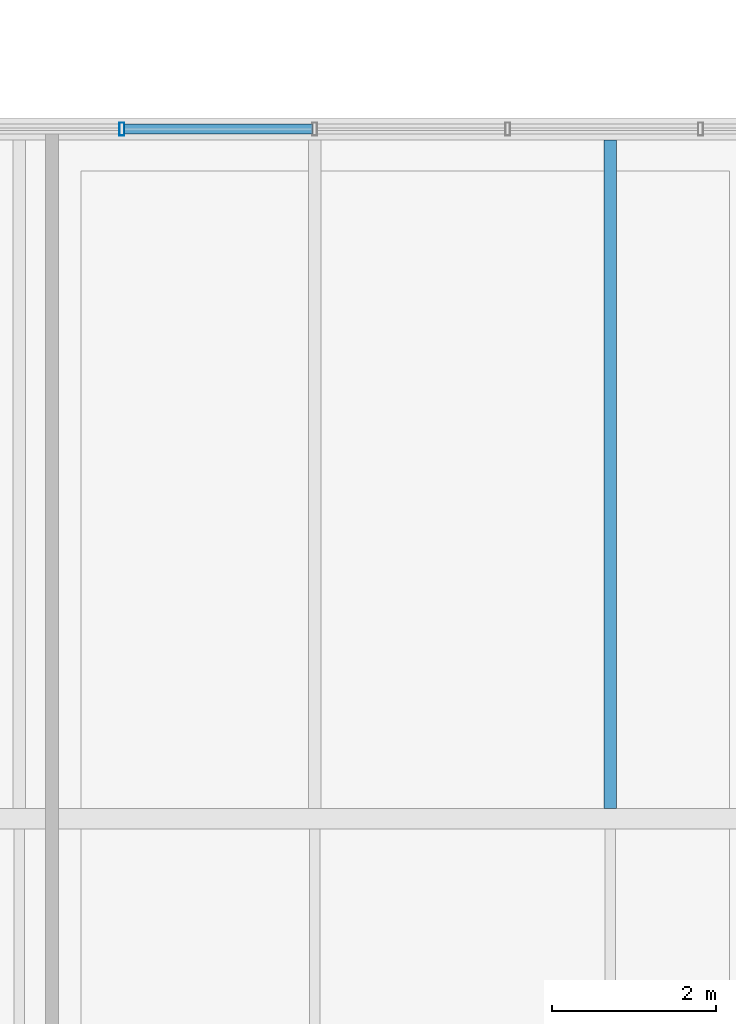
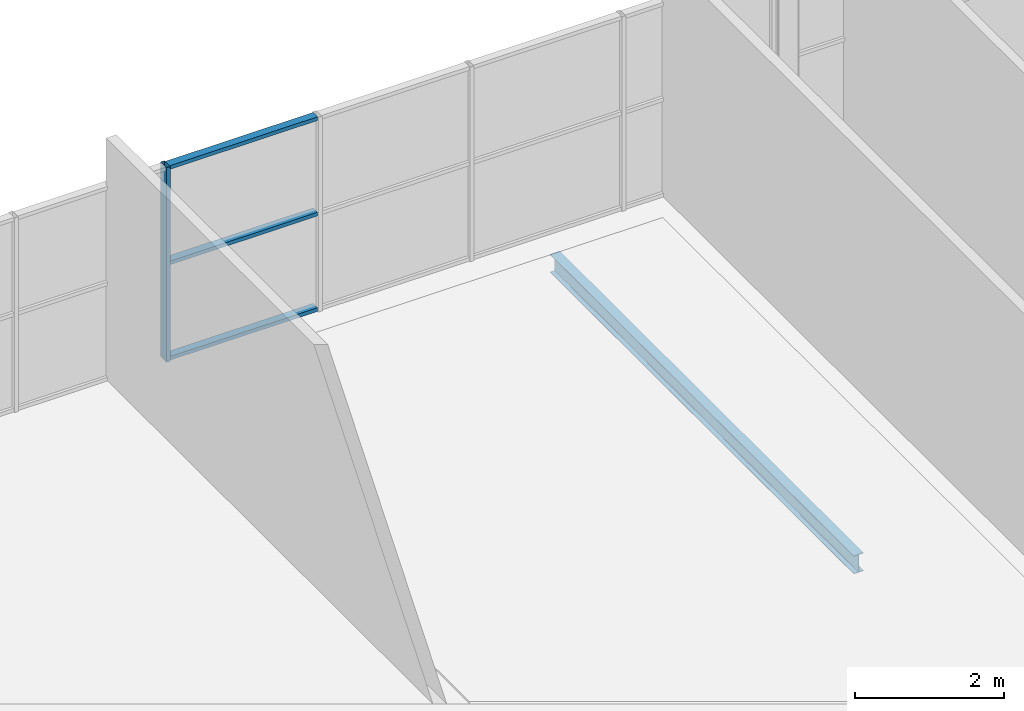
# One storey, part 55 of 93: 4 members, 1 beam, 1 element without a shape of its own.
"""IFC4 building model written with IfcOpenShell, lengths in metres."""

from ifc_helpers import new_model, si_unit, direction, frame, origin, origin_2d, place, context, subcontext, project, spatial, hollow_rectangle, i_section, extrude, material, material_profile, profile_set, type_object, element, aggregate, save


model = new_model("IFC4")

# Units and contexts
model_context = context("Model", 3, precision=1e-05, world=origin(), true_north=direction((0.0, 1.0)))
body_context = subcontext(model_context, "Body", "Model", "MODEL_VIEW")
ifc_project = project(units=[si_unit("LENGTHUNIT", "METRE"), si_unit("AREAUNIT", "SQUARE_METRE"), si_unit("VOLUMEUNIT", "CUBIC_METRE"), si_unit("PLANEANGLEUNIT", "RADIAN"), si_unit("MASSUNIT", "GRAM", prefix="KILO"), si_unit("THERMODYNAMICTEMPERATUREUNIT", "KELVIN")], contexts=[model_context])

# Site, building, storey
site_placement = place(None, origin())
site = spatial("IfcSite", under=ifc_project, at=site_placement, CompositionType="ELEMENT")
building_placement = place(site_placement, origin())
building = spatial("IfcBuilding", under=site, at=building_placement, Name="Nduvali Passage Aquatics Centre", CompositionType="ELEMENT")
storey_placement = place(building_placement, frame((0.0, 0.0, 9.0)))
storey = spatial("IfcBuildingStorey", under=building, at=storey_placement, Name="L02", CompositionType="ELEMENT", Elevation=9.0)

# Curtain wall, members
ifc_material_1 = material(Name="Aluminium EN AW-6063 T6", Category="aluminium")
curtain_wall_type = type_object("IfcCurtainWallType", Name="ENV-CW-WELL", PredefinedType="NOTDEFINED", material=ifc_material_1)
curtain_wall_placement = place(storey_placement, origin())
curtain_wall = element("IfcCurtainWall", 1, at=curtain_wall_placement, inside=storey, type_object=curtain_wall_type, Name="L02 North Avenue Clinic CW 109", PredefinedType="NOTDEFINED")
ifc_material_profile_1 = material_profile(ifc_material_1, hollow_rectangle(XDim=0.06005859375, YDim=0.159912109375, WallThickness=0.00390625, at=origin_2d()), Name="ALU MULLION 60x160x4")
ifc_profile_set_1 = profile_set([ifc_material_profile_1], Name="Aluminium EN AW-6063 T6")
member_type_1 = type_object("IfcMemberType", Name="ENV-MEM-MUL60", PredefinedType="MULLION", material=ifc_profile_set_1)
member_1_placement = place(storey_placement, frame((87.64990234375, 117.60009765625, 0.0), z_axis=(0.0, 0.0, 1.0), x_axis=(1.0, 0.0, 0.0)))
member_1 = element("IfcMember", 2, at=member_1_placement, type_object=member_type_1, Name="North Avenue Clinic CW Mullion 3", PredefinedType="MULLION", context=body_context, shape_type="SweptSolid", body=[
    extrude(hollow_rectangle(XDim=0.06005859375, YDim=0.159912109375, WallThickness=0.00390625, at=origin_2d()), origin(), (0.0, 0.0, 1.0), 3.183837890625),
])
ifc_material_profile_2 = material_profile(ifc_material_1, hollow_rectangle(XDim=0.1201171875, YDim=0.06005859375, WallThickness=0.00390625, at=origin_2d()), Name="ALU TRANSOM 120x60x4")
ifc_profile_set_2 = profile_set([ifc_material_profile_2], Name="Aluminium EN AW-6063 T6")
member_type_2 = type_object("IfcMemberType", Name="ENV-MEM-TRN60", PredefinedType="USERDEFINED", material=ifc_profile_set_2)
member_2_placement = place(storey_placement, frame((87.679931640625, 117.60009765625, 0.030029296875), z_axis=(1.0, 0.0, 0.0), x_axis=(0.0, 1.0, 0.0)))
member_2 = element("IfcMember", 3, at=member_2_placement, type_object=member_type_2, Name="North Avenue Clinic CW Transom B3-R0", ObjectType="TRANSOM", PredefinedType="USERDEFINED", context=body_context, shape_type="SweptSolid", body=[
    extrude(hollow_rectangle(XDim=0.1201171875, YDim=0.06005859375, WallThickness=0.00390625, at=origin_2d()), origin(), (0.0, 0.0, 1.0), 2.2900390625),
])
member_3_placement = place(storey_placement, frame((87.679931640625, 117.60009765625, 1.591796875), z_axis=(1.0, 0.0, 0.0), x_axis=(0.0, 1.0, 0.0)))
member_3 = element("IfcMember", 4, at=member_3_placement, type_object=member_type_2, Name="North Avenue Clinic CW Transom B3-R1", ObjectType="TRANSOM", PredefinedType="USERDEFINED", context=body_context, shape_type="SweptSolid", body=[
    extrude(hollow_rectangle(XDim=0.1201171875, YDim=0.06005859375, WallThickness=0.00390625, at=origin_2d()), origin(), (0.0, 0.0, 1.0), 2.2900390625),
])
member_4_placement = place(storey_placement, frame((87.679931640625, 117.60009765625, 3.15380859375), z_axis=(1.0, 0.0, 0.0), x_axis=(0.0, 1.0, 0.0)))
member_4 = element("IfcMember", 5, at=member_4_placement, type_object=member_type_2, Name="North Avenue Clinic CW Transom B3-R2", ObjectType="TRANSOM", PredefinedType="USERDEFINED", context=body_context, shape_type="SweptSolid", body=[
    extrude(hollow_rectangle(XDim=0.1201171875, YDim=0.06005859375, WallThickness=0.00390625, at=origin_2d()), origin(), (0.0, 0.0, 1.0), 2.2900390625),
])
aggregate(curtain_wall, [member_1, member_2, member_3, member_4])

# Beam
ifc_material_2 = material(Name="Steel S355", Category="steel")
ifc_material_profile_3 = material_profile(ifc_material_2, i_section(OverallWidth=0.14990234375, OverallDepth=0.300048828125, WebThickness=0.007080078125, FlangeThickness=0.0107421875, FilletRadius=0.014892578125, at=origin_2d()), Name="IPE 300")
ifc_profile_set_3 = profile_set([ifc_material_profile_3], Name="Steel S355")
beam_type = type_object("IfcBeamType", Name="STR-JST-IPE300", PredefinedType="JOIST", material=ifc_profile_set_3)
beam_placement = place(storey_placement, frame((93.60009765625, 109.326904296875, -0.4140625), z_axis=(0.0, 1.0, 0.0), x_axis=(-1.0, 0.0, 0.0)))
element("IfcBeam", 6, at=beam_placement, inside=storey, type_object=beam_type, Name="L02 Secondary Joist J7-1194", PredefinedType="JOIST", context=body_context, shape_type="SweptSolid", body=[
    extrude(i_section(OverallWidth=0.14990234375, OverallDepth=0.300048828125, WebThickness=0.007080078125, FlangeThickness=0.0107421875, FilletRadius=0.014892578125, at=origin_2d()), origin(), (0.0, 0.0, 1.0), 8.139892578125),
])

save(model, "model.ifc")
